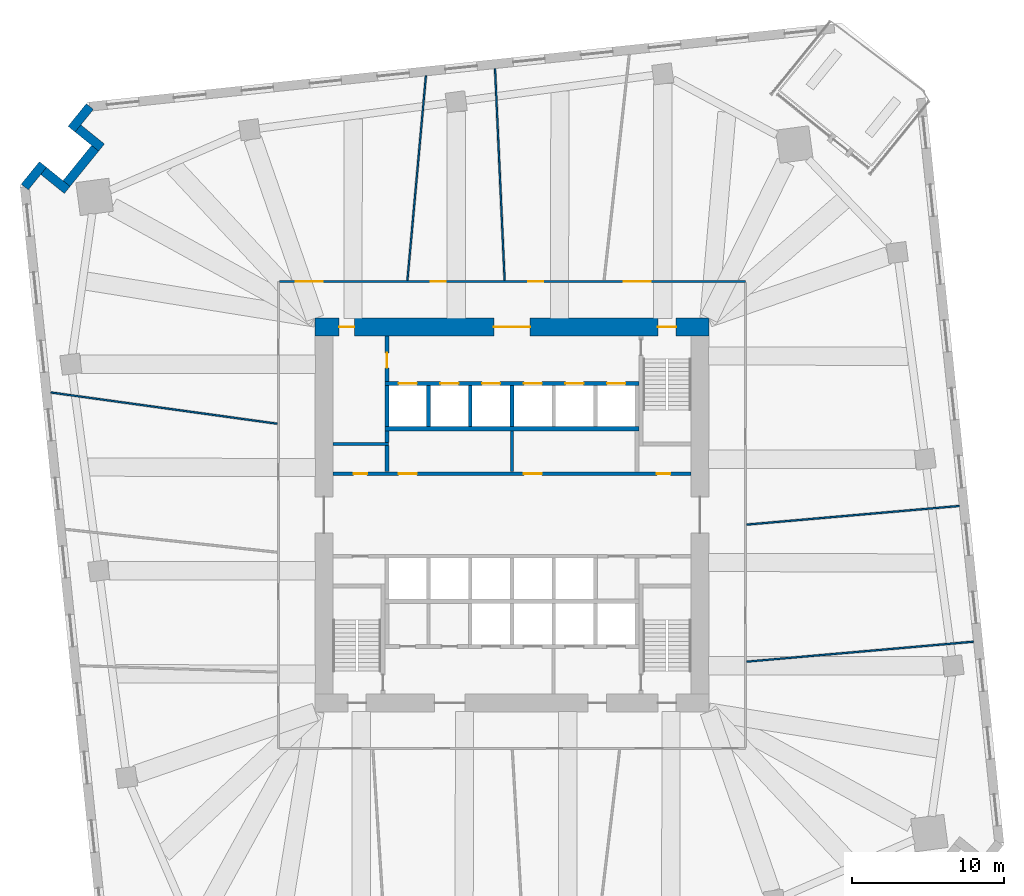
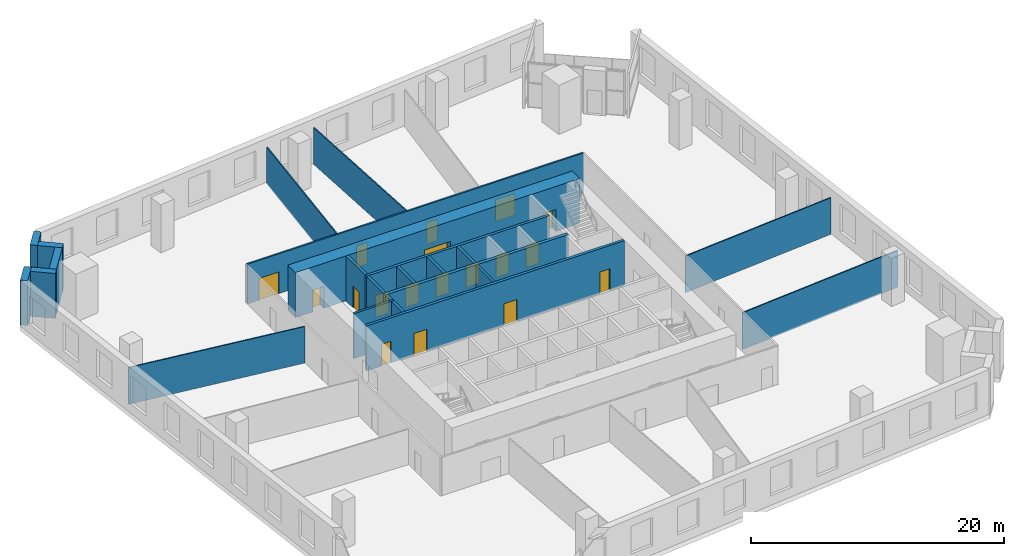
# One storey, part 6 of 10: 24 walls, 18 doors, 18 openings.
"""IFC4 building model written with IfcOpenShell, lengths in metres."""

from ifc_helpers import new_model, si_unit, direction, frame, frame_2d, origin, place, context, subcontext, project, spatial, rectangle, extrude, material, layer, layer_set, type_object, element, fill, save


model = new_model("IFC4")

# Units and contexts
model_context = context("Model", 3, precision=1e-05, world=origin(), true_north=direction((0.0, 1.0)))
body_context = subcontext(model_context, "Body", "Model", "MODEL_VIEW")
ifc_project = project(units=[si_unit("LENGTHUNIT", "METRE"), si_unit("AREAUNIT", "SQUARE_METRE"), si_unit("VOLUMEUNIT", "CUBIC_METRE"), si_unit("PLANEANGLEUNIT", "RADIAN"), si_unit("MASSUNIT", "GRAM", prefix="KILO")], contexts=[model_context])

# Site, building, storey
site_placement = place(None, origin())
site = spatial("IfcSite", under=ifc_project, at=site_placement, CompositionType="ELEMENT")
building_placement = place(site_placement, origin())
building = spatial("IfcBuilding", under=site, at=building_placement, Name="Dilmun Exchange Tower", CompositionType="ELEMENT")
storey_placement = place(building_placement, frame((0.0, 0.0, 41.699951171875)))
storey = spatial("IfcBuildingStorey", under=building, at=storey_placement, Name="L09", CompositionType="ELEMENT", Elevation=41.699951171875)

# Walls
ifc_material_1 = material(Name="Concrete C40/50", Category="concrete")
ifc_layer_1 = layer(ifc_material_1, 0.199951171875)
ifc_layer_set_1 = layer_set([ifc_layer_1], Name="Concrete C40/50")
wall_type_1 = type_object("IfcWallType", Name="Core partition wall 200", PredefinedType="PARTITIONING", material=ifc_layer_set_1)
wall_1_placement = place(storey_placement, frame((0.0, 2.85498046875, 0.0), z_axis=(0.0, 0.0, 1.0), x_axis=(0.0, 1.0, 0.0)))
element("IfcWall", 1, at=wall_1_placement, inside=storey, type_object=wall_type_1, Name="L09 core partition wall 10", PredefinedType="PARTITIONING", context=body_context, shape_type="SweptSolid", body=[
    extrude(rectangle(XDim=2.68994140625, YDim=0.199951171875, at=frame_2d((1.344970703125, 0.0))), origin(), (0.0, 0.0, 1.0), 4.35009765625),
])
wall_2_placement = place(storey_placement, frame((-11.794921875, 4.675048828125, 0.0), z_axis=(0.0, 0.0, 1.0), x_axis=(1.0, 0.0, 0.0)))
element("IfcWall", 2, at=wall_2_placement, inside=storey, type_object=wall_type_1, Name="L09 core partition wall 12", PredefinedType="PARTITIONING", context=body_context, shape_type="SweptSolid", body=[
    extrude(rectangle(XDim=3.64501953125, YDim=0.199951171875, at=frame_2d((1.822509765625, 0.0))), origin(), (0.0, 0.0, 1.0), 4.35009765625),
])

# Wall, openings, doors
ifc_layer_2 = layer(ifc_material_1, 0.25)
ifc_layer_set_2 = layer_set([ifc_layer_2], Name="Concrete C40/50")
wall_type_2 = type_object("IfcWallType", Name="Core partition wall 250", PredefinedType="PARTITIONING", material=ifc_layer_set_2)
wall_3_placement = place(storey_placement, frame((-11.794921875, 2.72509765625, 0.0), z_axis=(0.0, 0.0, 1.0), x_axis=(1.0, 0.0, 0.0)))
wall_3 = element("IfcWall", 3, at=wall_3_placement, inside=storey, type_object=wall_type_2, Name="L09 core partition wall 08", PredefinedType="PARTITIONING", context=body_context, shape_type="SweptSolid", body=[
    extrude(rectangle(XDim=23.58984375, YDim=0.25, at=frame_2d((11.794921875, 0.0))), origin(), (0.0, 0.0, 1.0), 4.35009765625),
])
opening_1_placement = place(wall_3_placement, frame((21.344970703125, 0.0, 0.0)))
opening_1 = element("IfcOpeningElement", 4, at=opening_1_placement, cuts=wall_3, Name="Opening CD6", PredefinedType="OPENING", context=body_context, shape_type="SweptSolid", body=[
    extrude(rectangle(XDim=0.89990234375, YDim=2.10009765625, at=frame_2d((0.449951171875, 1.050048828125))), frame((0.0, 0.135009765625, 0.0), z_axis=(0.0, -1.0, 0.0), x_axis=(1.0, 0.0, 0.0)), (0.0, 0.0, 1.0), 0.27001953125),
])
opening_2_placement = place(wall_3_placement, frame((1.344970703125, 0.0, 0.0)))
opening_2 = element("IfcOpeningElement", 5, at=opening_2_placement, cuts=wall_3, Name="Opening CD6", PredefinedType="OPENING", context=body_context, shape_type="SweptSolid", body=[
    extrude(rectangle(XDim=0.89990234375, YDim=2.10009765625, at=frame_2d((0.449951171875, 1.050048828125))), frame((0.0, 0.135009765625, 0.0), z_axis=(0.0, -1.0, 0.0), x_axis=(1.0, 0.0, 0.0)), (0.0, 0.0, 1.0), 0.27001953125),
])
opening_3_placement = place(wall_3_placement, frame((4.320068359375, 0.0, 0.0)))
opening_3 = element("IfcOpeningElement", 6, at=opening_3_placement, cuts=wall_3, Name="Opening CD3", PredefinedType="OPENING", context=body_context, shape_type="SweptSolid", body=[
    extrude(rectangle(XDim=1.199951171875, YDim=2.10009765625, at=frame_2d((0.60009765625, 1.050048828125))), frame((0.0, 0.135009765625, 0.0), z_axis=(0.0, -1.0, 0.0), x_axis=(1.0, 0.0, 0.0)), (0.0, 0.0, 1.0), 0.27001953125),
])
opening_4_placement = place(wall_3_placement, frame((12.570068359375, 0.0, 0.0)))
opening_4 = element("IfcOpeningElement", 7, at=opening_4_placement, cuts=wall_3, Name="Opening CD3", PredefinedType="OPENING", context=body_context, shape_type="SweptSolid", body=[
    extrude(rectangle(XDim=1.199951171875, YDim=2.10009765625, at=frame_2d((0.60009765625, 1.050048828125))), frame((0.0, 0.135009765625, 0.0), z_axis=(0.0, -1.0, 0.0), x_axis=(1.0, 0.0, 0.0)), (0.0, 0.0, 1.0), 0.27001953125),
])
ifc_material_2 = material(Name="Fire-rated steel door set", Category="steel")
door_type_1 = type_object("IfcDoorType", Name="Core room door 900x2100", OperationType="SINGLE_SWING_LEFT", PredefinedType="DOOR", material=ifc_material_2)
door_1_placement = place(opening_1_placement, origin())
door_1 = element("IfcDoor", 8, at=door_1_placement, inside=storey, type_object=door_type_1, Name="L09 door Electrical riser", OperationType="SINGLE_SWING_RIGHT", OverallHeight=2.10009765625, OverallWidth=0.89990234375, PredefinedType="DOOR", context=body_context, shape_type="SweptSolid", body=[
    extrude(rectangle(XDim=0.89990234375, YDim=2.10009765625, at=frame_2d((0.449951171875, 1.050048828125))), frame((0.0, 0.02490234375, 0.0), z_axis=(0.0, -1.0, 0.0), x_axis=(1.0, 0.0, 0.0)), (0.0, 0.0, 1.0), 0.050048828125),
])
fill(opening_1, door_1)
door_2_placement = place(opening_2_placement, origin())
door_2 = element("IfcDoor", 9, at=door_2_placement, inside=storey, type_object=door_type_1, Name="L09 door Plumbing riser", OperationType="SINGLE_SWING_RIGHT", OverallHeight=2.10009765625, OverallWidth=0.89990234375, PredefinedType="DOOR", context=body_context, shape_type="SweptSolid", body=[
    extrude(rectangle(XDim=0.89990234375, YDim=2.10009765625, at=frame_2d((0.449951171875, 1.050048828125))), frame((0.0, 0.02490234375, 0.0), z_axis=(0.0, -1.0, 0.0), x_axis=(1.0, 0.0, 0.0)), (0.0, 0.0, 1.0), 0.050048828125),
])
fill(opening_2, door_2)
door_type_2 = type_object("IfcDoorType", Name="Stair exit door 1200x2100", OperationType="SINGLE_SWING_LEFT", PredefinedType="DOOR", material=ifc_material_2)
door_3_placement = place(opening_3_placement, origin())
door_3 = element("IfcDoor", 10, at=door_3_placement, inside=storey, type_object=door_type_2, Name="L09 door Tenant meeting suite", OperationType="SINGLE_SWING_LEFT", OverallHeight=2.10009765625, OverallWidth=1.199951171875, PredefinedType="DOOR", context=body_context, shape_type="SweptSolid", body=[
    extrude(rectangle(XDim=1.199951171875, YDim=2.10009765625, at=frame_2d((0.60009765625, 1.050048828125))), frame((0.0, 0.02490234375, 0.0), z_axis=(0.0, -1.0, 0.0), x_axis=(1.0, 0.0, 0.0)), (0.0, 0.0, 1.0), 0.050048828125),
])
fill(opening_3, door_3)
door_4_placement = place(opening_4_placement, origin())
door_4 = element("IfcDoor", 11, at=door_4_placement, inside=storey, type_object=door_type_2, Name="L09 door Tenant amenity store", OperationType="SINGLE_SWING_LEFT", OverallHeight=2.10009765625, OverallWidth=1.199951171875, PredefinedType="DOOR", context=body_context, shape_type="SweptSolid", body=[
    extrude(rectangle(XDim=1.199951171875, YDim=2.10009765625, at=frame_2d((0.60009765625, 1.050048828125))), frame((0.0, 0.02490234375, 0.0), z_axis=(0.0, -1.0, 0.0), x_axis=(1.0, 0.0, 0.0)), (0.0, 0.0, 1.0), 0.050048828125),
])
fill(opening_4, door_4)

# Walls
wall_4_placement = place(storey_placement, frame((-8.25, 2.85498046875, 0.0), z_axis=(0.0, 0.0, 1.0), x_axis=(0.0, 1.0, 0.0)))
element("IfcWall", 12, at=wall_4_placement, inside=storey, type_object=wall_type_2, Name="L09 core partition wall 09", PredefinedType="PARTITIONING", context=body_context, shape_type="SweptSolid", body=[
    extrude(rectangle(XDim=1.715087890625, YDim=0.25, at=frame_2d((0.857421875, 0.0))), origin(), (0.0, 0.0, 1.0), 4.35009765625),
])
wall_5_placement = place(storey_placement, frame((-8.25, 4.780029296875, 0.0), z_axis=(0.0, 0.0, 1.0), x_axis=(0.0, 1.0, 0.0)))
element("IfcWall", 13, at=wall_5_placement, inside=storey, type_object=wall_type_2, Name="L09 core partition wall 13", PredefinedType="PARTITIONING", context=body_context, shape_type="SweptSolid", body=[
    extrude(rectangle(XDim=0.764892578125, YDim=0.25, at=frame_2d((0.38232421875, 0.0))), origin(), (0.0, 0.0, 1.0), 4.35009765625),
])

# Wall, opening, door
wall_6_placement = place(storey_placement, frame((-8.25, 8.804931640625, 0.0), z_axis=(0.0, 0.0, 1.0), x_axis=(0.0, 1.0, 0.0)))
wall_6 = element("IfcWall", 14, at=wall_6_placement, inside=storey, type_object=wall_type_2, Name="L09 core partition wall 14", PredefinedType="PARTITIONING", context=body_context, shape_type="SweptSolid", body=[
    extrude(rectangle(XDim=2.989990234375, YDim=0.25, at=frame_2d((1.4951171875, 0.0))), origin(), (0.0, 0.0, 1.0), 4.35009765625),
])
opening_5_placement = place(wall_6_placement, frame((0.89501953125, 0.0, 0.0)))
opening_5 = element("IfcOpeningElement", 15, at=opening_5_placement, cuts=wall_6, Name="Opening CD4", PredefinedType="OPENING", context=body_context, shape_type="SweptSolid", body=[
    extrude(rectangle(XDim=1.0, YDim=2.10009765625, at=frame_2d((0.5, 1.050048828125))), frame((0.0, 0.135009765625, 0.0), z_axis=(0.0, -1.0, 0.0), x_axis=(1.0, 0.0, 0.0)), (0.0, 0.0, 1.0), 0.27001953125),
])
door_type_3 = type_object("IfcDoorType", Name="Core room door 1000x2100", OperationType="SINGLE_SWING_LEFT", PredefinedType="DOOR", material=ifc_material_2)
door_5_placement = place(opening_5_placement, origin())
door_5 = element("IfcDoor", 16, at=door_5_placement, inside=storey, type_object=door_type_3, Name="L09 door Building services room", OperationType="SINGLE_SWING_RIGHT", OverallHeight=2.10009765625, OverallWidth=1.0, PredefinedType="DOOR", context=body_context, shape_type="SweptSolid", body=[
    extrude(rectangle(XDim=1.0, YDim=2.10009765625, at=frame_2d((0.5, 1.050048828125))), frame((0.0, 0.02490234375, 0.0), z_axis=(0.0, -1.0, 0.0), x_axis=(1.0, 0.0, 0.0)), (0.0, 0.0, 1.0), 0.050048828125),
])
fill(opening_5, door_5)

# Wall, openings, doors
ifc_material_3 = material(Name="Concrete C80/95", Category="concrete")
ifc_layer_3 = layer(ifc_material_3, 1.199951171875)
ifc_layer_set_3 = layer_set([ifc_layer_3], Name="Concrete C80/95")
wall_type_3 = type_object("IfcWallType", Name="Core shear wall 1200 Concrete C80/95", PredefinedType="SHEAR", material=ifc_layer_set_3)
wall_7_placement = place(storey_placement, frame((-13.0, 12.39990234375, 0.0), z_axis=(0.0, 0.0, 1.0), x_axis=(1.0, 0.0, 0.0)))
wall_7 = element("IfcWall", 17, at=wall_7_placement, inside=storey, type_object=wall_type_3, Name="L09 core shear wall N", PredefinedType="SHEAR", context=body_context, shape_type="SweptSolid", body=[
    extrude(rectangle(XDim=26.0, YDim=1.199951171875, at=frame_2d((13.0, 0.0))), origin(), (0.0, 0.0, 1.0), 4.35009765625),
])
opening_6_placement = place(wall_7_placement, frame((11.800048828125, 0.0, 0.0)))
opening_6 = element("IfcOpeningElement", 18, at=opening_6_placement, cuts=wall_7, Name="Opening CD1", PredefinedType="OPENING", context=body_context, shape_type="SweptSolid", body=[
    extrude(rectangle(XDim=2.39990234375, YDim=2.39990234375, at=frame_2d((1.199951171875, 1.199951171875))), frame((0.0, 0.60986328125, 0.0), z_axis=(0.0, -1.0, 0.0), x_axis=(1.0, 0.0, 0.0)), (0.0, 0.0, 1.0), 1.219970703125),
])
opening_7_placement = place(wall_7_placement, frame((22.625, 0.0, 0.0)))
opening_7 = element("IfcOpeningElement", 19, at=opening_7_placement, cuts=wall_7, Name="Opening CD3", PredefinedType="OPENING", context=body_context, shape_type="SweptSolid", body=[
    extrude(rectangle(XDim=1.199951171875, YDim=2.10009765625, at=frame_2d((0.60009765625, 1.050048828125))), frame((0.0, 0.60986328125, 0.0), z_axis=(0.0, -1.0, 0.0), x_axis=(1.0, 0.0, 0.0)), (0.0, 0.0, 1.0), 1.219970703125),
])
opening_8_placement = place(wall_7_placement, frame((1.60009765625, 0.0, 0.0)))
opening_8 = element("IfcOpeningElement", 20, at=opening_8_placement, cuts=wall_7, Name="Opening CD4", PredefinedType="OPENING", context=body_context, shape_type="SweptSolid", body=[
    extrude(rectangle(XDim=1.0, YDim=2.10009765625, at=frame_2d((0.5, 1.050048828125))), frame((0.0, 0.60986328125, 0.0), z_axis=(0.0, -1.0, 0.0), x_axis=(1.0, 0.0, 0.0)), (0.0, 0.0, 1.0), 1.219970703125),
])
door_type_4 = type_object("IfcDoorType", Name="Core lobby door 2400x2400", OperationType="DOUBLE_DOOR_DOUBLE_SWING", PredefinedType="DOOR", material=ifc_material_2)
door_6_placement = place(opening_6_placement, origin())
door_6 = element("IfcDoor", 21, at=door_6_placement, inside=storey, type_object=door_type_4, Name="L09 door North lift lobby", OperationType="SINGLE_SWING_LEFT", OverallHeight=2.39990234375, OverallWidth=2.39990234375, PredefinedType="DOOR", context=body_context, shape_type="SweptSolid", body=[
    extrude(rectangle(XDim=2.39990234375, YDim=2.39990234375, at=frame_2d((1.199951171875, 1.199951171875))), frame((0.0, 0.02490234375, 0.0), z_axis=(0.0, -1.0, 0.0), x_axis=(1.0, 0.0, 0.0)), (0.0, 0.0, 1.0), 0.050048828125),
])
fill(opening_6, door_6)
door_7_placement = place(opening_8_placement, origin())
door_7 = element("IfcDoor", 22, at=door_7_placement, inside=storey, type_object=door_type_3, Name="L09 door North-west core rooms", OperationType="SINGLE_SWING_LEFT", OverallHeight=2.10009765625, OverallWidth=1.0, PredefinedType="DOOR", context=body_context, shape_type="SweptSolid", body=[
    extrude(rectangle(XDim=1.0, YDim=2.10009765625, at=frame_2d((0.5, 1.050048828125))), frame((0.0, 0.02490234375, 0.0), z_axis=(0.0, -1.0, 0.0), x_axis=(1.0, 0.0, 0.0)), (0.0, 0.0, 1.0), 0.050048828125),
])
fill(opening_8, door_7)
door_8_placement = place(opening_7_placement, origin())
door_8 = element("IfcDoor", 23, at=door_8_placement, inside=storey, type_object=door_type_2, Name="L09 door Stair ST1", OperationType="SINGLE_SWING_LEFT", OverallHeight=2.10009765625, OverallWidth=1.199951171875, PredefinedType="DOOR", context=body_context, shape_type="SweptSolid", body=[
    extrude(rectangle(XDim=1.199951171875, YDim=2.10009765625, at=frame_2d((0.60009765625, 1.050048828125))), frame((0.0, 0.02490234375, 0.0), z_axis=(0.0, -1.0, 0.0), x_axis=(1.0, 0.0, 0.0)), (0.0, 0.0, 1.0), 0.050048828125),
])
fill(opening_7, door_8)

ifc_material_4 = material(Name="Corridor wall 150")
ifc_layer_4 = layer(ifc_material_4, 0.14990234375)
ifc_layer_set_4 = layer_set([ifc_layer_4], Name="Corridor wall 150")
wall_type_4 = type_object("IfcWallType", Name="Corridor wall 150", PredefinedType="PARTITIONING", material=ifc_layer_set_4)
wall_8_placement = place(storey_placement, frame((-15.324951171875, 15.39990234375, 0.0), z_axis=(0.0, 0.0, 1.0), x_axis=(1.0, 0.0, 0.0)))
wall_8 = element("IfcWall", 24, at=wall_8_placement, inside=storey, type_object=wall_type_4, Name="Corridor wall", PredefinedType="PARTITIONING", context=body_context, shape_type="SweptSolid", body=[
    extrude(rectangle(XDim=30.724853515625, YDim=0.14990234375, at=frame_2d((15.3623046875, 0.0))), origin(), (0.0, 0.0, 1.0), 3.85009765625),
])
opening_9_placement = place(wall_8_placement, frame((1.050048828125, 0.0, 0.0)))
opening_9 = element("IfcOpeningElement", 25, at=opening_9_placement, cuts=wall_8, Name="Opening TF08-D03", PredefinedType="OPENING", context=body_context, shape_type="SweptSolid", body=[
    extrude(rectangle(XDim=1.800048828125, YDim=2.10009765625, at=frame_2d((0.89990234375, 1.050048828125))), frame((0.0, 0.0849609375, 0.0), z_axis=(0.0, -1.0, 0.0), x_axis=(1.0, 0.0, 0.0)), (0.0, 0.0, 1.0), 0.169921875),
])
opening_10_placement = place(wall_8_placement, frame((9.970458984375, 0.0, 0.0)))
opening_10 = element("IfcOpeningElement", 26, at=opening_10_placement, cuts=wall_8, Name="Opening TF08-D08", PredefinedType="OPENING", context=body_context, shape_type="SweptSolid", body=[
    extrude(rectangle(XDim=1.0, YDim=2.10009765625, at=frame_2d((0.5, 1.050048828125))), frame((0.0, 0.0849609375, 0.0), z_axis=(0.0, -1.0, 0.0), x_axis=(1.0, 0.0, 0.0)), (0.0, 0.0, 1.0), 0.169921875),
])
opening_11_placement = place(wall_8_placement, frame((16.388916015625, 0.0, 0.0)))
opening_11 = element("IfcOpeningElement", 27, at=opening_11_placement, cuts=wall_8, Name="Opening TF08-D09", PredefinedType="OPENING", context=body_context, shape_type="SweptSolid", body=[
    extrude(rectangle(XDim=1.0, YDim=2.10009765625, at=frame_2d((0.5, 1.050048828125))), frame((0.0, 0.0849609375, 0.0), z_axis=(0.0, -1.0, 0.0), x_axis=(1.0, 0.0, 0.0)), (0.0, 0.0, 1.0), 0.169921875),
])
opening_12_placement = place(wall_8_placement, frame((22.689697265625, 0.0, 0.0)))
opening_12 = element("IfcOpeningElement", 28, at=opening_12_placement, cuts=wall_8, Name="Opening TF08-D11", PredefinedType="OPENING", context=body_context, shape_type="SweptSolid", body=[
    extrude(rectangle(XDim=1.800048828125, YDim=2.10009765625, at=frame_2d((0.89990234375, 1.050048828125))), frame((0.0, 0.0849609375, 0.0), z_axis=(0.0, -1.0, 0.0), x_axis=(1.0, 0.0, 0.0)), (0.0, 0.0, 1.0), 0.169921875),
])
ifc_material_5 = material(Name="Fire door 1000 x 2100")
door_type_5 = type_object("IfcDoorType", Name="Fire door 1000 x 2100", OperationType="NOTDEFINED", PredefinedType="DOOR", material=ifc_material_5)
door_9_placement = place(opening_10_placement, origin())
door_9 = element("IfcDoor", 29, at=door_9_placement, inside=storey, type_object=door_type_5, Name="Door TF08-D08", OperationType="SINGLE_SWING_LEFT", OverallHeight=2.10009765625, OverallWidth=1.0, PredefinedType="DOOR", context=body_context, shape_type="SweptSolid", body=[
    extrude(rectangle(XDim=1.0, YDim=2.10009765625, at=frame_2d((0.5, 1.050048828125))), frame((0.0, 0.02490234375, 0.0), z_axis=(0.0, -1.0, 0.0), x_axis=(1.0, 0.0, 0.0)), (0.0, 0.0, 1.0), 0.050048828125),
])
fill(opening_10, door_9)
door_10_placement = place(opening_11_placement, origin())
door_10 = element("IfcDoor", 30, at=door_10_placement, inside=storey, type_object=door_type_5, Name="Door TF08-D09", OperationType="SINGLE_SWING_LEFT", OverallHeight=2.10009765625, OverallWidth=1.0, PredefinedType="DOOR", context=body_context, shape_type="SweptSolid", body=[
    extrude(rectangle(XDim=1.0, YDim=2.10009765625, at=frame_2d((0.5, 1.050048828125))), frame((0.0, 0.02490234375, 0.0), z_axis=(0.0, -1.0, 0.0), x_axis=(1.0, 0.0, 0.0)), (0.0, 0.0, 1.0), 0.050048828125),
])
fill(opening_11, door_10)
ifc_material_6 = material(Name="Fire door pair 1800 x 2100")
door_type_6 = type_object("IfcDoorType", Name="Fire door pair 1800 x 2100", OperationType="NOTDEFINED", PredefinedType="DOOR", material=ifc_material_6)
door_11_placement = place(opening_9_placement, origin())
door_11 = element("IfcDoor", 31, at=door_11_placement, inside=storey, type_object=door_type_6, Name="Door TF08-D03", OperationType="DOUBLE_DOOR_SINGLE_SWING", OverallHeight=2.10009765625, OverallWidth=1.800048828125, PredefinedType="DOOR", context=body_context, shape_type="SweptSolid", body=[
    extrude(rectangle(XDim=1.800048828125, YDim=2.10009765625, at=frame_2d((0.89990234375, 1.050048828125))), frame((0.0, 0.02490234375, 0.0), z_axis=(0.0, -1.0, 0.0), x_axis=(1.0, 0.0, 0.0)), (0.0, 0.0, 1.0), 0.050048828125),
])
fill(opening_9, door_11)
door_12_placement = place(opening_12_placement, origin())
door_12 = element("IfcDoor", 32, at=door_12_placement, inside=storey, type_object=door_type_6, Name="Door TF08-D11", OperationType="DOUBLE_DOOR_SINGLE_SWING", OverallHeight=2.10009765625, OverallWidth=1.800048828125, PredefinedType="DOOR", context=body_context, shape_type="SweptSolid", body=[
    extrude(rectangle(XDim=1.800048828125, YDim=2.10009765625, at=frame_2d((0.89990234375, 1.050048828125))), frame((0.0, 0.02490234375, 0.0), z_axis=(0.0, -1.0, 0.0), x_axis=(1.0, 0.0, 0.0)), (0.0, 0.0, 1.0), 0.050048828125),
])
fill(opening_12, door_12)

# Wall
ifc_layer_5 = layer(ifc_material_1, 0.300048828125)
ifc_layer_set_5 = layer_set([ifc_layer_5], Name="Concrete C40/50")
wall_type_5 = type_object("IfcWallType", Name="Lift shaft shared wall 300", PredefinedType="SOLIDWALL", material=ifc_layer_set_5)
wall_9_placement = place(storey_placement, frame((-8.375, 5.699951171875, 0.0), z_axis=(0.0, 0.0, 1.0), x_axis=(1.0, 0.0, 0.0)))
element("IfcWall", 33, at=wall_9_placement, inside=storey, type_object=wall_type_5, Name="L09 lift shaft rear wall N", PredefinedType="SOLIDWALL", context=body_context, shape_type="SweptSolid", body=[
    extrude(rectangle(XDim=16.75, YDim=0.300048828125, at=frame_2d((8.375, 0.0))), origin(), (0.0, 0.0, 1.0), 4.35009765625),
])

# Wall, openings, doors
ifc_layer_6 = layer(ifc_material_1, 0.25)
ifc_layer_set_6 = layer_set([ifc_layer_6], Name="Concrete C40/50")
wall_type_6 = type_object("IfcWallType", Name="Lift shaft wall 250", PredefinedType="SOLIDWALL", material=ifc_layer_set_6)
wall_10_placement = place(storey_placement, frame((-8.375, 8.675048828125, 0.0), z_axis=(0.0, 0.0, 1.0), x_axis=(1.0, 0.0, 0.0)))
wall_10 = element("IfcWall", 34, at=wall_10_placement, inside=storey, type_object=wall_type_6, Name="L09 lift shaft front wall N2", PredefinedType="SOLIDWALL", context=body_context, shape_type="SweptSolid", body=[
    extrude(rectangle(XDim=16.75, YDim=0.25, at=frame_2d((8.375, 0.0))), origin(), (0.0, 0.0, 1.0), 4.35009765625),
])
opening_13_placement = place(wall_10_placement, frame((0.89990234375, 0.0, 0.0)))
opening_13 = element("IfcOpeningElement", 35, at=opening_13_placement, cuts=wall_10, Name="Opening LD", PredefinedType="OPENING", context=body_context, shape_type="SweptSolid", body=[
    extrude(rectangle(XDim=1.199951171875, YDim=2.10009765625, at=frame_2d((0.60009765625, 1.050048828125))), frame((0.0, 0.135009765625, 0.0), z_axis=(0.0, -1.0, 0.0), x_axis=(1.0, 0.0, 0.0)), (0.0, 0.0, 1.0), 0.27001953125),
])
opening_14_placement = place(wall_10_placement, frame((3.64990234375, 0.0, 0.0)))
opening_14 = element("IfcOpeningElement", 36, at=opening_14_placement, cuts=wall_10, Name="Opening LD", PredefinedType="OPENING", context=body_context, shape_type="SweptSolid", body=[
    extrude(rectangle(XDim=1.199951171875, YDim=2.10009765625, at=frame_2d((0.60009765625, 1.050048828125))), frame((0.0, 0.135009765625, 0.0), z_axis=(0.0, -1.0, 0.0), x_axis=(1.0, 0.0, 0.0)), (0.0, 0.0, 1.0), 0.27001953125),
])
opening_15_placement = place(wall_10_placement, frame((6.39990234375, 0.0, 0.0)))
opening_15 = element("IfcOpeningElement", 37, at=opening_15_placement, cuts=wall_10, Name="Opening LD", PredefinedType="OPENING", context=body_context, shape_type="SweptSolid", body=[
    extrude(rectangle(XDim=1.199951171875, YDim=2.10009765625, at=frame_2d((0.60009765625, 1.050048828125))), frame((0.0, 0.135009765625, 0.0), z_axis=(0.0, -1.0, 0.0), x_axis=(1.0, 0.0, 0.0)), (0.0, 0.0, 1.0), 0.27001953125),
])
opening_16_placement = place(wall_10_placement, frame((9.14990234375, 0.0, 0.0)))
opening_16 = element("IfcOpeningElement", 38, at=opening_16_placement, cuts=wall_10, Name="Opening LD", PredefinedType="OPENING", context=body_context, shape_type="SweptSolid", body=[
    extrude(rectangle(XDim=1.199951171875, YDim=2.10009765625, at=frame_2d((0.60009765625, 1.050048828125))), frame((0.0, 0.135009765625, 0.0), z_axis=(0.0, -1.0, 0.0), x_axis=(1.0, 0.0, 0.0)), (0.0, 0.0, 1.0), 0.27001953125),
])
opening_17_placement = place(wall_10_placement, frame((11.89990234375, 0.0, 0.0)))
opening_17 = element("IfcOpeningElement", 39, at=opening_17_placement, cuts=wall_10, Name="Opening LD", PredefinedType="OPENING", context=body_context, shape_type="SweptSolid", body=[
    extrude(rectangle(XDim=1.199951171875, YDim=2.10009765625, at=frame_2d((0.60009765625, 1.050048828125))), frame((0.0, 0.135009765625, 0.0), z_axis=(0.0, -1.0, 0.0), x_axis=(1.0, 0.0, 0.0)), (0.0, 0.0, 1.0), 0.27001953125),
])
opening_18_placement = place(wall_10_placement, frame((14.64990234375, 0.0, 0.0)))
opening_18 = element("IfcOpeningElement", 40, at=opening_18_placement, cuts=wall_10, Name="Opening LD", PredefinedType="OPENING", context=body_context, shape_type="SweptSolid", body=[
    extrude(rectangle(XDim=1.199951171875, YDim=2.10009765625, at=frame_2d((0.60009765625, 1.050048828125))), frame((0.0, 0.135009765625, 0.0), z_axis=(0.0, -1.0, 0.0), x_axis=(1.0, 0.0, 0.0)), (0.0, 0.0, 1.0), 0.27001953125),
])
door_type_7 = type_object("IfcDoorType", Name="Lift landing door 1200x2100", OperationType="DOUBLE_DOOR_SLIDING", PredefinedType="DOOR", material=ifc_material_2)
door_13_placement = place(opening_13_placement, origin())
door_13 = element("IfcDoor", 41, at=door_13_placement, inside=storey, type_object=door_type_7, Name="L09 landing door LR1", OperationType="DOUBLE_DOOR_SLIDING", OverallHeight=2.10009765625, OverallWidth=1.199951171875, PredefinedType="DOOR", context=body_context, shape_type="SweptSolid", body=[
    extrude(rectangle(XDim=1.199951171875, YDim=2.10009765625, at=frame_2d((0.60009765625, 1.050048828125))), frame((0.0, 0.02490234375, 0.0), z_axis=(0.0, -1.0, 0.0), x_axis=(1.0, 0.0, 0.0)), (0.0, 0.0, 1.0), 0.050048828125),
])
fill(opening_13, door_13)
door_14_placement = place(opening_14_placement, origin())
door_14 = element("IfcDoor", 42, at=door_14_placement, inside=storey, type_object=door_type_7, Name="L09 landing door LR2", OperationType="DOUBLE_DOOR_SLIDING", OverallHeight=2.10009765625, OverallWidth=1.199951171875, PredefinedType="DOOR", context=body_context, shape_type="SweptSolid", body=[
    extrude(rectangle(XDim=1.199951171875, YDim=2.10009765625, at=frame_2d((0.60009765625, 1.050048828125))), frame((0.0, 0.02490234375, 0.0), z_axis=(0.0, -1.0, 0.0), x_axis=(1.0, 0.0, 0.0)), (0.0, 0.0, 1.0), 0.050048828125),
])
fill(opening_14, door_14)
door_15_placement = place(opening_15_placement, origin())
door_15 = element("IfcDoor", 43, at=door_15_placement, inside=storey, type_object=door_type_7, Name="L09 landing door LR3", OperationType="DOUBLE_DOOR_SLIDING", OverallHeight=2.10009765625, OverallWidth=1.199951171875, PredefinedType="DOOR", context=body_context, shape_type="SweptSolid", body=[
    extrude(rectangle(XDim=1.199951171875, YDim=2.10009765625, at=frame_2d((0.60009765625, 1.050048828125))), frame((0.0, 0.02490234375, 0.0), z_axis=(0.0, -1.0, 0.0), x_axis=(1.0, 0.0, 0.0)), (0.0, 0.0, 1.0), 0.050048828125),
])
fill(opening_15, door_15)
door_16_placement = place(opening_16_placement, origin())
door_16 = element("IfcDoor", 44, at=door_16_placement, inside=storey, type_object=door_type_7, Name="L09 landing door LR4", OperationType="DOUBLE_DOOR_SLIDING", OverallHeight=2.10009765625, OverallWidth=1.199951171875, PredefinedType="DOOR", context=body_context, shape_type="SweptSolid", body=[
    extrude(rectangle(XDim=1.199951171875, YDim=2.10009765625, at=frame_2d((0.60009765625, 1.050048828125))), frame((0.0, 0.02490234375, 0.0), z_axis=(0.0, -1.0, 0.0), x_axis=(1.0, 0.0, 0.0)), (0.0, 0.0, 1.0), 0.050048828125),
])
fill(opening_16, door_16)
door_17_placement = place(opening_17_placement, origin())
door_17 = element("IfcDoor", 45, at=door_17_placement, inside=storey, type_object=door_type_7, Name="L09 landing door LR5", OperationType="DOUBLE_DOOR_SLIDING", OverallHeight=2.10009765625, OverallWidth=1.199951171875, PredefinedType="DOOR", context=body_context, shape_type="SweptSolid", body=[
    extrude(rectangle(XDim=1.199951171875, YDim=2.10009765625, at=frame_2d((0.60009765625, 1.050048828125))), frame((0.0, 0.02490234375, 0.0), z_axis=(0.0, -1.0, 0.0), x_axis=(1.0, 0.0, 0.0)), (0.0, 0.0, 1.0), 0.050048828125),
])
fill(opening_17, door_17)
door_18_placement = place(opening_18_placement, origin())
door_18 = element("IfcDoor", 46, at=door_18_placement, inside=storey, type_object=door_type_7, Name="L09 landing door LR6", OperationType="DOUBLE_DOOR_SLIDING", OverallHeight=2.10009765625, OverallWidth=1.199951171875, PredefinedType="DOOR", context=body_context, shape_type="SweptSolid", body=[
    extrude(rectangle(XDim=1.199951171875, YDim=2.10009765625, at=frame_2d((0.60009765625, 1.050048828125))), frame((0.0, 0.02490234375, 0.0), z_axis=(0.0, -1.0, 0.0), x_axis=(1.0, 0.0, 0.0)), (0.0, 0.0, 1.0), 0.050048828125),
])
fill(opening_18, door_18)

# Walls
for number, where, z_axis, x_axis, name in (
    (47, (-8.25, 5.85009765625, 0.0), (0.0, 0.0, 1.0), (0.0, 1.0, 0.0), "L09 lift shaft divider N20"),
    (48, (-5.5, 5.85009765625, 0.0), (0.0, 0.0, 1.0), (0.0, 1.0, 0.0), "L09 lift shaft divider N21"),
    (49, (-2.75, 5.85009765625, 0.0), (0.0, 0.0, 1.0), (0.0, 1.0, 0.0), "L09 lift shaft divider N22"),
    (50, (0.0, 5.85009765625, 0.0), (0.0, 0.0, 1.0), (0.0, 1.0, 0.0), "L09 lift shaft divider N23"),
):
    element("IfcWall", number, at=place(storey_placement, frame(where, z_axis=z_axis, x_axis=x_axis)), inside=storey, type_object=wall_type_6, Name=name, PredefinedType="SOLIDWALL", context=body_context, shape_type="SweptSolid", body=[
        extrude(rectangle(XDim=2.699951171875, YDim=0.25, at=frame_2d((1.35009765625, 0.0))), origin(), (0.0, 0.0, 1.0), 4.35009765625),
    ])
ifc_material_7 = material(Name="Partition 100")
ifc_layer_7 = layer(ifc_material_7, 0.10009765625)
ifc_layer_set_7 = layer_set([ifc_layer_7], Name="Partition 100")
wall_type_7 = type_object("IfcWallType", Name="Partition 100", PredefinedType="PARTITIONING", material=ifc_layer_set_7)
wall_11_placement = place(storey_placement, frame((-30.4091796875, 8.081298828125, 0.0), z_axis=(0.0, 0.0, 1.0), x_axis=(0.990611296102, -0.136708668474, 0.0)))
element("IfcWall", 51, at=wall_11_placement, inside=storey, type_object=wall_type_7, Name="Partition", PredefinedType="PARTITIONING", context=body_context, shape_type="SweptSolid", body=[
    extrude(rectangle(XDim=15.06884765625, YDim=0.10009765625, at=frame_2d((7.534423828125, 0.0))), origin(), (0.0, 0.0, 1.0), 3.550048828125),
])
wall_12_placement = place(storey_placement, frame((-6.896728515625, 15.4794921875, 0.0), z_axis=(0.0, 0.0, 1.0), x_axis=(0.090073977657, 0.995935077477, 0.0)))
element("IfcWall", 52, at=wall_12_placement, inside=storey, type_object=wall_type_7, Name="Partition", PredefinedType="PARTITIONING", context=body_context, shape_type="SweptSolid", body=[
    extrude(rectangle(XDim=13.53857421875, YDim=0.10009765625, at=frame_2d((6.769287109375, 0.0))), origin(), (0.0, 0.0, 1.0), 3.550048828125),
])
wall_13_placement = place(storey_placement, frame((-1.11962890625, 29.442138671875, 0.0), z_axis=(0.0, 0.0, 1.0), x_axis=(0.045215945181, -0.998977236128, 0.0)))
element("IfcWall", 53, at=wall_13_placement, inside=storey, type_object=wall_type_7, Name="Partition", PredefinedType="PARTITIONING", context=body_context, shape_type="SweptSolid", body=[
    extrude(rectangle(XDim=13.979248046875, YDim=0.10009765625, at=frame_2d((6.98974609375, 0.0))), origin(), (0.0, 0.0, 1.0), 3.550048828125),
])
wall_14_placement = place(storey_placement, frame((15.4794921875, -9.6708984375, 0.0), z_axis=(0.0, 0.0, 1.0), x_axis=(0.996145743112, 0.08771350227, 0.0)))
element("IfcWall", 54, at=wall_14_placement, inside=storey, type_object=wall_type_7, Name="Partition", PredefinedType="PARTITIONING", context=body_context, shape_type="SweptSolid", body=[
    extrude(rectangle(XDim=15.016357421875, YDim=0.10009765625, at=frame_2d((7.50830078125, 0.0))), origin(), (0.0, 0.0, 1.0), 3.550048828125),
])
wall_15_placement = place(storey_placement, frame((15.4794921875, -0.632080078125, 0.0), z_axis=(0.0, 0.0, 1.0), x_axis=(0.99617559828, 0.087373779768, 0.0)))
element("IfcWall", 55, at=wall_15_placement, inside=storey, type_object=wall_type_7, Name="Partition", PredefinedType="PARTITIONING", context=body_context, shape_type="SweptSolid", body=[
    extrude(rectangle(XDim=14.071533203125, YDim=0.10009765625, at=frame_2d((7.03564453125, 0.0))), origin(), (0.0, 0.0, 1.0), 3.550048828125),
])
ifc_material_8 = material(Name="Precast concrete C50/60", Category="concrete")
ifc_layer_8 = layer(ifc_material_8, 0.60009765625)
ifc_layer_set_8 = layer_set([ifc_layer_8], Name="Precast concrete C50/60")
wall_type_8 = type_object("IfcWallType", Name="Precast stone-clad wall 600", PredefinedType="STANDARD", material=ifc_layer_set_8)
wall_16_placement = place(storey_placement, frame((-27.843994140625, 26.93701171875, 0.0), z_axis=(0.0, 0.0, 1.0), x_axis=(-0.629341524136, -0.777128847746, 0.0)))
element("IfcWall", 56, at=wall_16_placement, inside=storey, type_object=wall_type_8, Name="Facade wall L09-04", PredefinedType="STANDARD", context=body_context, shape_type="SweptSolid", body=[
    extrude(rectangle(XDim=1.911376953125, YDim=0.60009765625, at=frame_2d((0.95556640625, 0.0))), origin(), (0.0, 0.0, 1.0), 4.35009765625),
])
wall_17_placement = place(storey_placement, frame((-28.624755859375, 25.49609375, 0.0), z_axis=(0.0, 0.0, 1.0), x_axis=(0.777091341611, -0.629387834958, 0.0)))
element("IfcWall", 57, at=wall_17_placement, inside=storey, type_object=wall_type_8, Name="Facade wall L09-05", PredefinedType="STANDARD", context=body_context, shape_type="SweptSolid", body=[
    extrude(rectangle(XDim=2.0, YDim=0.60009765625, at=frame_2d((1.0, 0.0))), origin(), (0.0, 0.0, 1.0), 4.35009765625),
])
wall_18_placement = place(storey_placement, frame((-27.492431640625, 24.193115234375, 0.0), z_axis=(0.0, 0.0, 1.0), x_axis=(-0.629338688562, -0.777131144068, 0.0)))
element("IfcWall", 58, at=wall_18_placement, inside=storey, type_object=wall_type_8, Name="Facade wall L09-06", PredefinedType="STANDARD", context=body_context, shape_type="SweptSolid", body=[
    extrude(rectangle(XDim=3.0, YDim=0.60009765625, at=frame_2d((1.5, 0.0))), origin(), (0.0, 0.0, 1.0), 4.35009765625),
])
wall_19_placement = place(storey_placement, frame((-29.336181640625, 21.439697265625, 0.0), z_axis=(0.0, 0.0, 1.0), x_axis=(-0.777091341611, 0.629387834958, 0.0)))
element("IfcWall", 59, at=wall_19_placement, inside=storey, type_object=wall_type_8, Name="Facade wall L09-07", PredefinedType="STANDARD", context=body_context, shape_type="SweptSolid", body=[
    extrude(rectangle(XDim=2.0, YDim=0.60009765625, at=frame_2d((1.0, 0.0))), origin(), (0.0, 0.0, 1.0), 4.35009765625),
])
wall_20_placement = place(storey_placement, frame((-30.934814453125, 23.120361328125, 0.0), z_axis=(0.0, 0.0, 1.0), x_axis=(-0.629264373012, -0.777191320627, 0.0)))
element("IfcWall", 60, at=wall_20_placement, inside=storey, type_object=wall_type_8, Name="Facade wall L09-08", PredefinedType="STANDARD", context=body_context, shape_type="SweptSolid", body=[
    extrude(rectangle(XDim=1.9111328125, YDim=0.60009765625, at=frame_2d((0.95556640625, 0.0))), origin(), (0.0, 0.0, 1.0), 4.35009765625),
])

save(model, "model.ifc")
